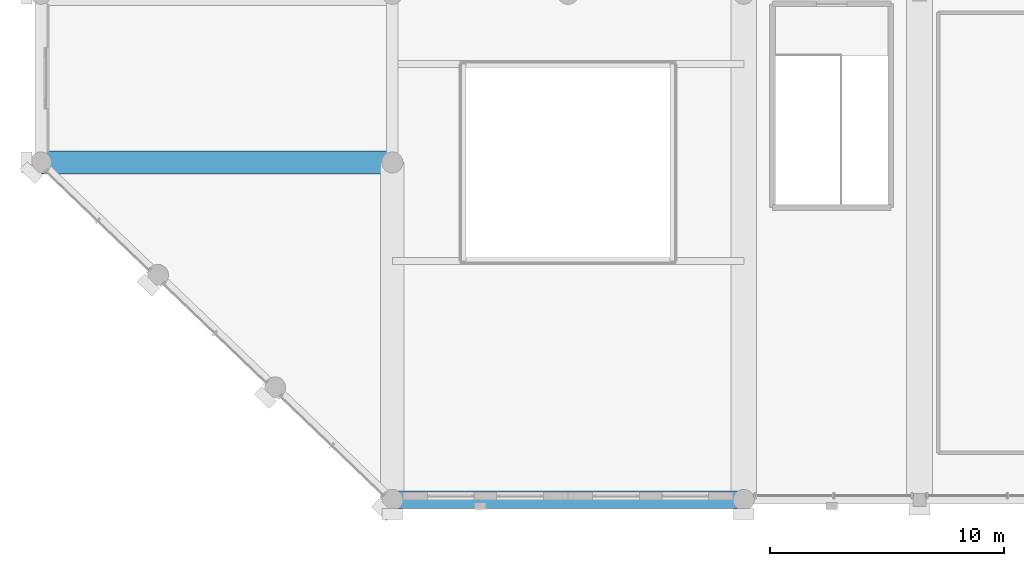
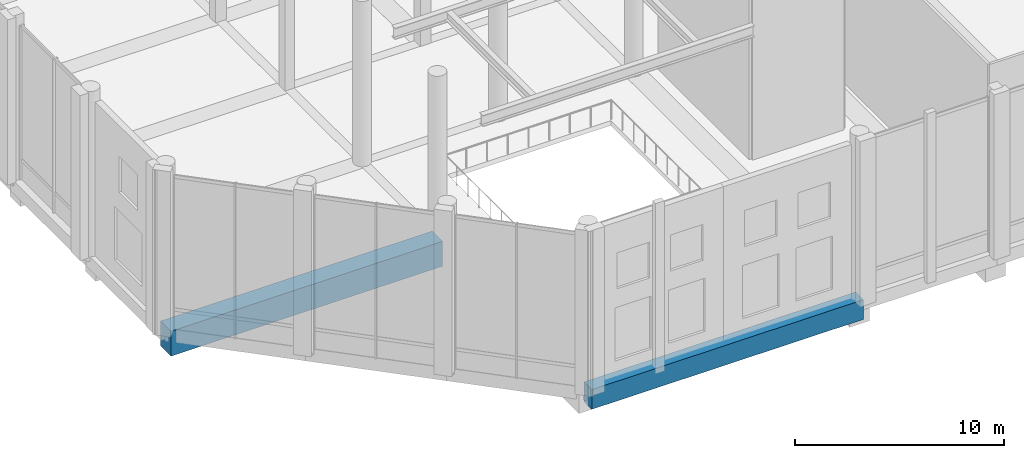
# One storey, part 9 of 80: 2 beams.
"""IFC4 building model written with IfcOpenShell, lengths in metres."""

from ifc_helpers import new_model, si_unit, direction, frame, origin, origin_2d, place, context, subcontext, project, spatial, rectangle, extrude, material, material_profile, profile_set, type_object, element, save


model = new_model("IFC4")

# Units and contexts
model_context = context("Model", 3, precision=1e-05, world=origin(), true_north=direction((0.0, 1.0)))
body_context = subcontext(model_context, "Body", "Model", "MODEL_VIEW")
ifc_project = project(units=[si_unit("LENGTHUNIT", "METRE"), si_unit("AREAUNIT", "SQUARE_METRE"), si_unit("VOLUMEUNIT", "CUBIC_METRE"), si_unit("PLANEANGLEUNIT", "RADIAN"), si_unit("MASSUNIT", "GRAM", prefix="KILO")], contexts=[model_context])

# Site, building, storey
site_placement = place(None, origin())
site = spatial("IfcSite", under=ifc_project, at=site_placement, CompositionType="ELEMENT")
building_placement = place(site_placement, origin())
building = spatial("IfcBuilding", under=site, at=building_placement, Name="Akrevak Sports Hall", CompositionType="ELEMENT")
storey_placement = place(building_placement, frame((0.0, 0.0, 14.0)))
storey = spatial("IfcBuildingStorey", under=building, at=storey_placement, Name="L03", CompositionType="ELEMENT", Elevation=14.0)

# Beams
ifc_material = material(Name="Concrete C50/60", Category="concrete")
ifc_material_profile_1 = material_profile(ifc_material, rectangle(XDim=1.0, YDim=1.449951171875, at=origin_2d()), Name="BM 1000x1450", Category="concrete")
ifc_profile_set_1 = profile_set([ifc_material_profile_1], Name="Concrete C50/60")
beam_type_1 = type_object("IfcBeamType", Name="STR-BM-LG1000x1450", PredefinedType="BEAM", material=ifc_profile_set_1)
beam_1_placement = place(storey_placement, frame((0.0, 14.39990234375, -0.72509765625), z_axis=(1.0, 0.0, 0.0), x_axis=(0.0, 1.0, 0.0)))
element("IfcBeam", 1, at=beam_1_placement, inside=storey, type_object=beam_type_1, Name="Girder C/1-3 (L03)", PredefinedType="BEAM", context=body_context, shape_type="SweptSolid", body=[
    extrude(rectangle(XDim=1.0, YDim=1.449951171875, at=origin_2d()), origin(), (0.0, 0.0, 1.0), 15.0),
])
ifc_material_profile_2 = material_profile(ifc_material, rectangle(XDim=0.75, YDim=1.14990234375, at=origin_2d()), Name="SPD 750x1150", Category="concrete")
ifc_profile_set_2 = profile_set([ifc_material_profile_2], Name="Concrete C50/60")
beam_type_2 = type_object("IfcBeamType", Name="STR-SPD-LSP750x1150", PredefinedType="SPANDREL", material=ifc_profile_set_2)
beam_2_placement = place(storey_placement, frame((15.0, 0.0, -0.574951171875), z_axis=(1.0, 0.0, 0.0), x_axis=(0.0, 1.0, 0.0)))
element("IfcBeam", 2, at=beam_2_placement, inside=storey, type_object=beam_type_2, Name="Girder A/3-5 (L03)", PredefinedType="SPANDREL", context=body_context, shape_type="SweptSolid", body=[
    extrude(rectangle(XDim=0.75, YDim=1.14990234375, at=origin_2d()), origin(), (0.0, 0.0, 1.0), 15.0),
])

save(model, "model.ifc")
